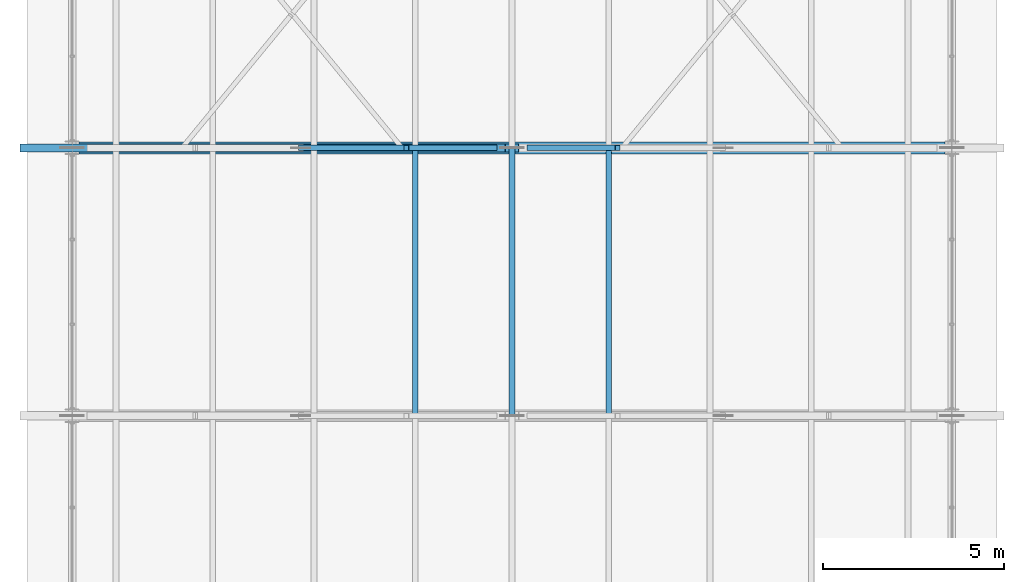
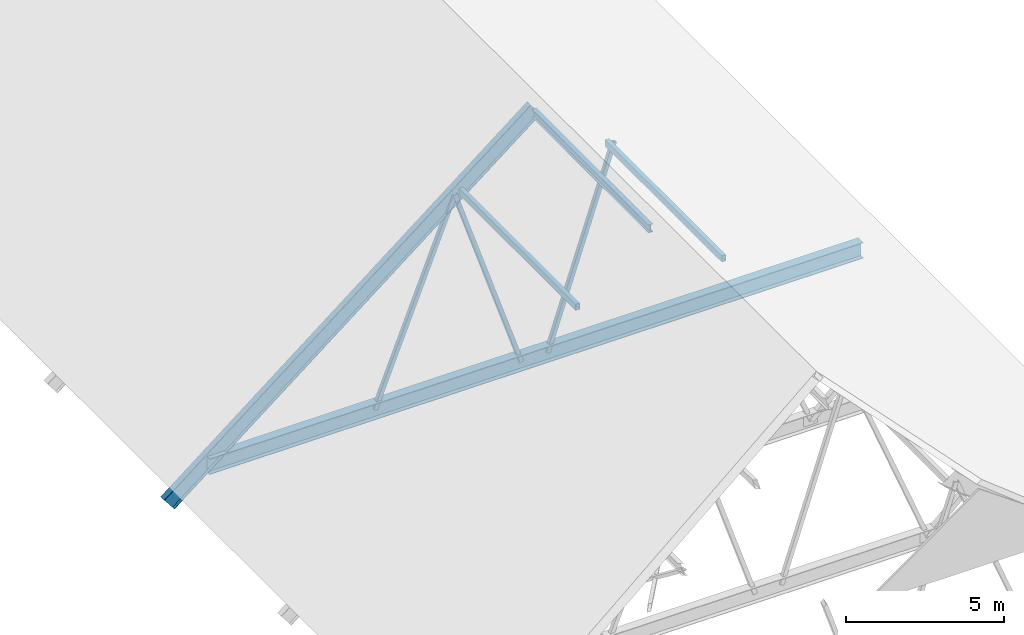
# One storey, part 13 of 44: 7 members, 1 beam.
"""IFC4 building model written with IfcOpenShell, lengths in metres."""

import ifcopenshell
import ifcopenshell.guid

model = None  # the IFC model being written
_history = None  # IfcOwnerHistory: only IFC2X3 demands one
_inside = {}  # id of a spatial element -> (the spatial element, [elements in it])
_under = {}  # id of a project, library or spatial element -> (it, [spatial elements below it])
_declared = {}  # id of a project -> (the project, [libraries it declares])
_typed = {}  # id of a type object -> (the type object, [elements of that type])
_made_of = {}  # id of a material, layer set ... -> (it, [elements and type objects made of it])


def new_model(schema):
    """Start an empty IFC model of exactly this schema.

    Asked for "IFC4X3", IfcOpenShell would pick the latest addendum, in which some entities
    have other attributes; the version numbers below select the first issue.
    IFC2X3 requires an IfcOwnerHistory on every rooted entity: one is made here for all.
    """
    global model, _history
    if schema == "IFC4X3":
        model = ifcopenshell.file(schema_version=(4, 3, 0, 0))
    else:
        model = ifcopenshell.file(schema=schema)
    _inside.clear()
    _under.clear()
    _declared.clear()
    _typed.clear()
    _made_of.clear()
    _history = None
    if model.schema == "IFC2X3":
        org = make("IfcOrganization", Name="unknown")
        user = make(
            "IfcPersonAndOrganization",
            ThePerson=make("IfcPerson", FamilyName="unknown"),
            TheOrganization=org,
        )
        app = make(
            "IfcApplication",
            ApplicationDeveloper=org,
            Version="unknown",
            ApplicationFullName="unknown",
            ApplicationIdentifier="unknown",
        )
        _history = make(
            "IfcOwnerHistory",
            OwningUser=user,
            OwningApplication=app,
            ChangeAction="ADDED",
            CreationDate=0,
        )
    return model


def make(cls, **values):
    """One entity of the class cls with the attributes given. An attribute that is None is left unset."""
    return model.create_entity(
        cls, **{name: value for name, value in values.items() if value is not None}
    )


def rooted(cls, **values):
    """An entity with a GlobalId (a new one), such as an element, a storey or a relation."""
    return make(cls, GlobalId=ifcopenshell.guid.new(), OwnerHistory=_history, **values)


def si_unit(unit_type, name, prefix=None):
    """IfcSIUnit, for example si_unit("LENGTHUNIT", "METRE", prefix="MILLI")."""
    return make("IfcSIUnit", UnitType=unit_type, Prefix=prefix, Name=name)


def assignment(units):
    """IfcUnitAssignment: the units of a project."""
    return None if units is None else make("IfcUnitAssignment", Units=units)


def point(xyz):
    """IfcCartesianPoint."""
    return None if xyz is None else make("IfcCartesianPoint", Coordinates=xyz)


def direction(xyz):
    """IfcDirection."""
    return None if xyz is None else make("IfcDirection", DirectionRatios=xyz)


def frame(location, z_axis=None, x_axis=None):
    """IfcAxis2Placement3D, a coordinate frame: its origin and axes. An axis left out is left unset."""
    return make(
        "IfcAxis2Placement3D",
        Location=point(location),
        Axis=direction(z_axis),
        RefDirection=direction(x_axis),
    )


def frame_2d(location, x_axis=None):
    """IfcAxis2Placement2D, a coordinate frame in the plane: its origin and x axis."""
    return make(
        "IfcAxis2Placement2D", Location=point(location), RefDirection=direction(x_axis)
    )


def origin():
    """The frame at (0, 0, 0) with its axes left unset."""
    return frame((0.0, 0.0, 0.0))


def origin_2d():
    """The frame at (0, 0) in the plane with its x axis left unset."""
    return frame_2d((0.0, 0.0))


def place(relative_to, where):
    """IfcLocalPlacement: puts the frame where relative to a parent placement (None: the world)."""
    return make(
        "IfcLocalPlacement", PlacementRelTo=relative_to, RelativePlacement=where
    )


def context(
    kind, dimensions, precision=None, world=None, true_north=None, identifier=None
):
    """IfcGeometricRepresentationContext, for example the 3D "Model" context."""
    return make(
        "IfcGeometricRepresentationContext",
        ContextIdentifier=identifier,
        ContextType=kind,
        CoordinateSpaceDimension=dimensions,
        Precision=precision,
        WorldCoordinateSystem=world,
        TrueNorth=true_north,
    )


def subcontext(parent, identifier, kind, view, scale=None):
    """IfcGeometricRepresentationSubContext, for example "Body" below "Model"."""
    return make(
        "IfcGeometricRepresentationSubContext",
        ContextIdentifier=identifier,
        ContextType=kind,
        ParentContext=parent,
        TargetScale=scale,
        TargetView=view,
    )


def project(units=None, contexts=None):
    """IfcProject with its units and contexts."""
    return rooted(
        "IfcProject",
        Name="project",
        RepresentationContexts=contexts,
        UnitsInContext=assignment(units),
    )


def spatial(cls, under=None, at=None, **own):
    """A site, building, storey or space (cls), placed at a placement, below another one or the project."""
    s = rooted(cls, ObjectPlacement=at, **own)
    if under is not None:
        _under.setdefault(under.id(), (under, []))[1].append(s)
    return s


def profile(cls, at=None, kind="AREA", **sizes):
    """A parametric profile (cls). Its sizes go by their IFC names, for example OverallWidth=200.0."""
    return make(cls, ProfileType=kind, Position=at, **sizes)


def hollow_rectangle(**sizes):
    """IfcRectangleHollowProfileDef."""
    return profile("IfcRectangleHollowProfileDef", **sizes)


def i_section(**sizes):
    """IfcIShapeProfileDef."""
    return profile("IfcIShapeProfileDef", **sizes)


def extrude(swept, where, along, depth):
    """IfcExtrudedAreaSolid: the profile swept, set in the frame where, extruded along a direction by depth."""
    return make(
        "IfcExtrudedAreaSolid",
        SweptArea=swept,
        Position=where,
        ExtrudedDirection=direction(along),
        Depth=depth,
    )


def shape(context_of_items, identifier, shape_type, items):
    """IfcShapeRepresentation: the items that make up one representation, for example the "Body"."""
    return make(
        "IfcShapeRepresentation",
        ContextOfItems=context_of_items,
        RepresentationIdentifier=identifier,
        RepresentationType=shape_type,
        Items=items,
    )


def material(Name=None, Category=None):
    """IfcMaterial."""
    return make("IfcMaterial", Name=Name, Category=Category)


def material_profile(
    of_material, cross_section, Name=None, Category=None, Priority=None
):
    """IfcMaterialProfile: a cross section and its material."""
    return make(
        "IfcMaterialProfile",
        Name=Name,
        Material=of_material,
        Profile=cross_section,
        Priority=Priority,
        Category=Category,
    )


def profile_set(profiles, Name=None, composite=None):
    """IfcMaterialProfileSet."""
    return make(
        "IfcMaterialProfileSet",
        Name=Name,
        MaterialProfiles=profiles,
        CompositeProfile=composite,
    )


def made_of(thing, what):
    """Note that an element or type object is made of a material, layer set ...; save() writes the relation."""
    if what is not None:
        _made_of.setdefault(what.id(), (what, []))[1].append(thing)
    return thing


def type_object(cls, material=None, **own):
    """A type object (cls), such as IfcWallType, which elements share."""
    return made_of(rooted(cls, **own), material)


def element(
    cls,
    number,
    at=None,
    inside=None,
    cuts=None,
    type_object=None,
    material=None,
    context=None,
    identifier="Body",
    shape_type=None,
    held_by="IfcProductDefinitionShape",
    body=None,
    shapes=None,
    **own,
):
    """One element of the class cls, such as IfcWall. Its Tag is "e" and its number.

    at: its placement. inside: the storey or other place that contains it. cuts: it is an
    opening in that element (IfcRelVoidsElement). A single representation is given by context,
    identifier, shape_type and body (its items); several are given by shapes. held_by: the class
    of the entity that holds the representations. save() writes the other relations.
    """
    e = rooted(cls, Tag="e%d" % number, ObjectPlacement=at, **own)
    if body is not None:
        shapes = [shape(context, identifier, shape_type, body)]
    if shapes is not None:
        e.Representation = make(held_by, Representations=shapes)
    if inside is not None:
        _inside.setdefault(inside.id(), (inside, []))[1].append(e)
    if cuts is not None:
        rooted(
            "IfcRelVoidsElement", RelatingBuildingElement=cuts, RelatedOpeningElement=e
        )
    if type_object is not None:
        _typed.setdefault(type_object.id(), (type_object, []))[1].append(e)
    return made_of(e, material)


def aggregate(whole, parts):
    """IfcRelAggregates: a whole, such as a stair, and the parts it consists of."""
    return rooted("IfcRelAggregates", RelatingObject=whole, RelatedObjects=parts)


def save(model, path):
    """Write the relations noted so far, then the file.

    IfcRelAggregates (storeys below a building ...), IfcRelContainedInSpatialStructure (elements
    in a storey), IfcRelDefinesByType, IfcRelAssociatesMaterial and IfcRelDeclares: one each for
    every whole, place, type object, material and project.
    """
    for whole, parts in _under.values():
        aggregate(whole, parts)
    for where, things in _inside.values():
        rooted(
            "IfcRelContainedInSpatialStructure",
            RelatedElements=things,
            RelatingStructure=where,
        )
    for kind, things in _typed.values():
        rooted("IfcRelDefinesByType", RelatedObjects=things, RelatingType=kind)
    for what, things in _made_of.values():
        rooted("IfcRelAssociatesMaterial", RelatedObjects=things, RelatingMaterial=what)
    for by, libraries in _declared.values():
        rooted("IfcRelDeclares", RelatingContext=by, RelatedDefinitions=libraries)
    model.write(path)


model = new_model("IFC4")

# Units and contexts
model_context = context("Model", 3, precision=1e-05, world=origin(), true_north=direction((0.0, 1.0)))
body_context = subcontext(model_context, "Body", "Model", "MODEL_VIEW")
ifc_project = project(units=[si_unit("LENGTHUNIT", "METRE"), si_unit("AREAUNIT", "SQUARE_METRE"), si_unit("VOLUMEUNIT", "CUBIC_METRE"), si_unit("PLANEANGLEUNIT", "RADIAN"), si_unit("MASSUNIT", "GRAM", prefix="KILO")], contexts=[model_context])

# Site, building, storey
site_placement = place(None, origin())
site = spatial("IfcSite", under=ifc_project, at=site_placement, CompositionType="ELEMENT")
building_placement = place(site_placement, origin())
building = spatial("IfcBuilding", under=site, at=building_placement, Name="Cimatlan Art Gallery", CompositionType="ELEMENT")
storey_placement = place(building_placement, frame((0.0, 0.0, 26.39990234375)))
storey = spatial("IfcBuildingStorey", under=building, at=storey_placement, Name="Roof", CompositionType="ELEMENT", Elevation=26.39990234375)

# Beam
ifc_material_1 = material(Name="Steel ASTM A992 Grade 50", Category="steel")
ifc_material_profile_1 = material_profile(ifc_material_1, i_section(OverallWidth=0.22802734375, OverallDepth=0.60791015625, WebThickness=0.01123046875, FlangeThickness=0.017333984375, at=origin_2d()), Name="W24X76")
ifc_profile_set_1 = profile_set([ifc_material_profile_1], Name="Steel ASTM A992 Grade 50")
beam_type = type_object("IfcBeamType", Name="BM-TRS-RAF", PredefinedType="BEAM", material=ifc_profile_set_1)
beam_placement = place(storey_placement, frame((73.64990234375, 46.10009765625, 0.412353515625), z_axis=(0.78463826569, 0.0, 0.619953862812), x_axis=(0.0, 1.0, 0.0)))
element("IfcBeam", 1, at=beam_placement, inside=storey, type_object=beam_type, Name="TRS-04-RAF-W", PredefinedType="BEAM", context=body_context, shape_type="SweptSolid", body=[
    extrude(i_section(OverallWidth=0.22802734375, OverallDepth=0.60791015625, WebThickness=0.01123046875, FlangeThickness=0.017333984375, at=origin_2d()), origin(), (0.0, 0.0, 1.0), 17.078125),
])

# Members
ifc_material_2 = material(Name="Steel ASTM A500 Grade C", Category="steel")
ifc_material_profile_2 = material_profile(ifc_material_2, hollow_rectangle(XDim=0.14990234375, YDim=0.25, WallThickness=0.010009765625, at=origin_2d()), Name="HSS250X150X10")
ifc_profile_set_2 = profile_set([ifc_material_profile_2], Name="Steel ASTM A500 Grade C")
member_type_1 = type_object("IfcMemberType", Name="MBR-PUR-C250", PredefinedType="PURLIN", material=ifc_profile_set_2)
for number, where, z_axis, x_axis, name in (
    (2, (84.376953125, 38.699951171875, 8.72802734375), (0.0, 1.0, 0.0), (-1.0, 0.0, 0.0), "PUR-V1-B3-W1"),
    (3, (89.722900390625, 38.699951171875, 8.72802734375), (0.0, 1.0, 0.0), (-1.0, 0.0, 0.0), "PUR-V1-B3-E1"),
):
    element("IfcMember", number, at=place(storey_placement, frame(where, z_axis=z_axis, x_axis=x_axis)), inside=storey, type_object=member_type_1, Name=name, PredefinedType="PURLIN", context=body_context, shape_type="SweptSolid", body=[
        extrude(hollow_rectangle(XDim=0.14990234375, YDim=0.25, WallThickness=0.010009765625, at=origin_2d()), origin(), (0.0, 0.0, 1.0), 7.400146484375),
    ])
ifc_material_profile_3 = material_profile(ifc_material_1, i_section(OverallWidth=0.1650390625, OverallDepth=0.31005859375, WebThickness=0.005859375, FlangeThickness=0.009765625, at=origin_2d()), Name="W12X26")
ifc_profile_set_3 = profile_set([ifc_material_profile_3], Name="Steel ASTM A992 Grade 50")
member_type_2 = type_object("IfcMemberType", Name="MBR-PUR-W12", PredefinedType="PURLIN", material=ifc_profile_set_3)
member_1_placement = place(storey_placement, frame((87.050048828125, 38.699951171875, 10.820068359375), z_axis=(0.0, 1.0, 0.0), x_axis=(-1.0, 0.0, 0.0)))
element("IfcMember", 4, at=member_1_placement, inside=storey, type_object=member_type_2, Name="PUR-V1-B3-RDG", PredefinedType="PURLIN", context=body_context, shape_type="SweptSolid", body=[
    extrude(i_section(OverallWidth=0.1650390625, OverallDepth=0.31005859375, WebThickness=0.005859375, FlangeThickness=0.009765625, at=origin_2d()), origin(), (0.0, 0.0, 1.0), 7.400146484375),
])
ifc_material_profile_4 = material_profile(ifc_material_2, hollow_rectangle(XDim=0.14990234375, YDim=0.14990234375, WallThickness=0.008056640625, at=origin_2d()), Name="HSS150X150X8")
ifc_profile_set_4 = profile_set([ifc_material_profile_4], Name="Steel ASTM A500 Grade C")
member_type_3 = type_object("IfcMemberType", Name="MBR-TRS-DIAG-2", PredefinedType="BRACE", material=ifc_profile_set_4)
member_2_placement = place(storey_placement, frame((81.218017578125, 46.10009765625, 1.400146484375), z_axis=(0.371133507913, 0.0, 0.928579516953), x_axis=(0.0, 1.0, 0.0)))
element("IfcMember", 5, at=member_2_placement, inside=storey, type_object=member_type_3, Name="TRS-04-DW-3", PredefinedType="BRACE", context=body_context, shape_type="SweptSolid", body=[
    extrude(hollow_rectangle(XDim=0.14990234375, YDim=0.14990234375, WallThickness=0.008056640625, at=origin_2d()), origin(), (0.0, 0.0, 1.0), 7.85693359375),
])
for number, where, z_axis, x_axis, name in (
    (6, (84.134033203125, 46.10009765625, 8.696044921875), (0.315989644699, 0.0, -0.948762638621), (0.0, 1.0, 0.0), "TRS-04-DW-4"),
    (7, (89.966064453125, 46.10009765625, 8.696044921875), (-0.316018222412, 0.0, -0.948753120208), (0.0, -1.0, 0.0), "TRS-04-DE-4"),
):
    element("IfcMember", number, at=place(storey_placement, frame(where, z_axis=z_axis, x_axis=x_axis)), inside=storey, type_object=member_type_3, Name=name, PredefinedType="BRACE", context=body_context, shape_type="SweptSolid", body=[
        extrude(hollow_rectangle(XDim=0.14990234375, YDim=0.14990234375, WallThickness=0.008056640625, at=origin_2d()), origin(), (0.0, 0.0, 1.0), 7.68994140625),
    ])
ifc_material_profile_5 = material_profile(ifc_material_1, i_section(OverallWidth=0.323974609375, OverallDepth=0.611083984375, WebThickness=0.0126953125, FlangeThickness=0.01904296875, at=origin_2d()), Name="W24X104")
ifc_profile_set_5 = profile_set([ifc_material_profile_5], Name="Steel ASTM A992 Grade 50")
member_type_4 = type_object("IfcMemberType", Name="MBR-TRS-TIE", PredefinedType="CHORD", material=ifc_profile_set_5)
member_3_placement = place(storey_placement, frame((75.096923828125, 46.10009765625, 1.400146484375), z_axis=(1.0, 0.0, 0.0), x_axis=(0.0, 1.0, 0.0)))
element("IfcMember", 8, at=member_3_placement, inside=storey, type_object=member_type_4, Name="TRS-04-TIE", PredefinedType="CHORD", context=body_context, shape_type="SweptSolid", body=[
    extrude(i_section(OverallWidth=0.323974609375, OverallDepth=0.611083984375, WebThickness=0.0126953125, FlangeThickness=0.01904296875, at=origin_2d()), origin(), (0.0, 0.0, 1.0), 23.906005859375),
])

save(model, "model.ifc")
